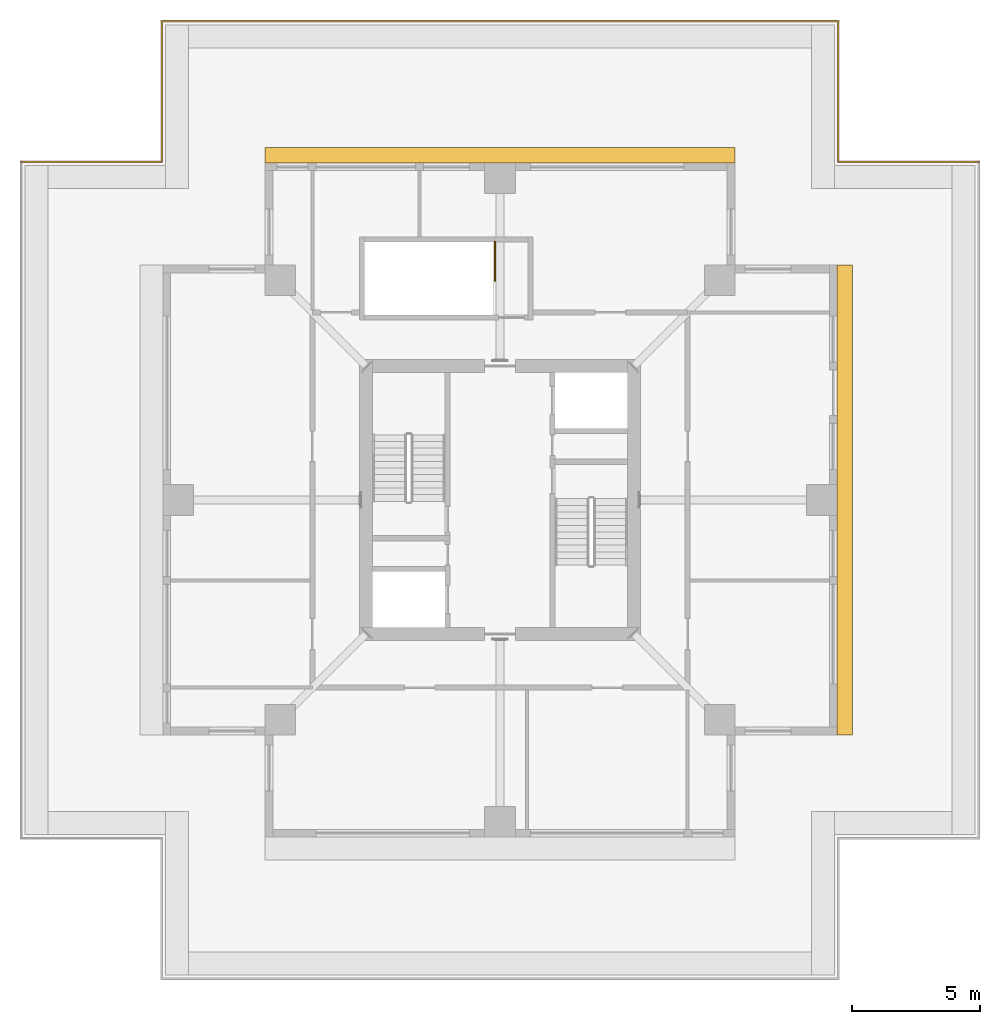
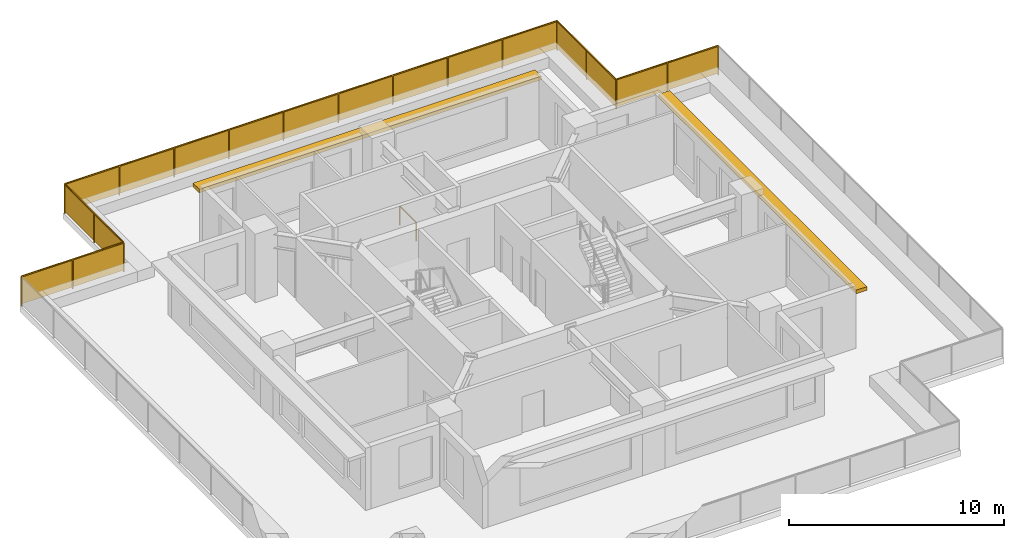
# One storey, part 8 of 8: 2 railings, 2 shading devices.
"""IFC4 building model written with IfcOpenShell, lengths in metres."""

from ifc_helpers import new_model, si_unit, direction, frame, origin, origin_2d, place, context, subcontext, project, spatial, polyline, rectangle, outline, extrude, material, layer, layer_set, type_object, element, save


model = new_model("IFC4")

# Units and contexts
model_context = context("Model", 3, precision=1e-05, world=origin(), true_north=direction((0.0, 1.0)))
body_context = subcontext(model_context, "Body", "Model", "MODEL_VIEW")
ifc_project = project(units=[si_unit("LENGTHUNIT", "METRE"), si_unit("AREAUNIT", "SQUARE_METRE"), si_unit("VOLUMEUNIT", "CUBIC_METRE"), si_unit("PLANEANGLEUNIT", "RADIAN"), si_unit("MASSUNIT", "GRAM", prefix="KILO")], contexts=[model_context])

# Site, building, storey
site_placement = place(None, origin())
site = spatial("IfcSite", under=ifc_project, at=site_placement, CompositionType="ELEMENT")
building_placement = place(site_placement, origin())
building = spatial("IfcBuilding", under=site, at=building_placement, Name="Khepri Terraces", CompositionType="ELEMENT")
storey_placement = place(building_placement, frame((0.0, 0.0, 312.300048828125)))
storey = spatial("IfcBuildingStorey", under=building, at=storey_placement, Name="L75", CompositionType="ELEMENT", Elevation=312.300048828125)

# Railings
ifc_material_1 = material(Name="Stainless steel grade 316", Category="steel")
railing_type_1 = type_object("IfcRailingType", Name="GRD-TERR-1700", PredefinedType="GUARDRAIL", material=ifc_material_1)
railing_1_placement = place(storey_placement, frame((-18.75, 13.25, 0.0)))
element("IfcRailing", 1, at=railing_1_placement, inside=storey, type_object=railing_type_1, Name="Terrace guard L75", PredefinedType="GUARDRAIL", context=body_context, shape_type="SweptSolid", body=[
    extrude(rectangle(XDim=0.050048828125, YDim=0.06005859375, at=origin_2d()), frame((0.0, 0.0, 1.669921875), z_axis=(1.0, 0.0, 0.0), x_axis=(0.0, 1.0, 0.0)), (0.0, 0.0, 1.0), 5.5),
    extrude(rectangle(XDim=2.699951171875, YDim=0.011962890625, at=origin_2d()), frame((1.375, 0.0, 0.10009765625), z_axis=(0.0, 0.0, 1.0), x_axis=(1.0, 0.0, 0.0)), (0.0, 0.0, 1.0), 1.539794921875),
    extrude(rectangle(XDim=2.699951171875, YDim=0.011962890625, at=origin_2d()), frame((4.125, 0.0, 0.10009765625), z_axis=(0.0, 0.0, 1.0), x_axis=(1.0, 0.0, 0.0)), (0.0, 0.0, 1.0), 1.539794921875),
    extrude(rectangle(XDim=0.050048828125, YDim=0.06005859375, at=origin_2d()), frame((5.5, 0.0, 1.669921875), z_axis=(0.0, 1.0, 0.0), x_axis=(-1.0, 0.0, 0.0)), (0.0, 0.0, 1.0), 5.5),
    extrude(rectangle(XDim=2.699951171875, YDim=0.011962890625, at=origin_2d()), frame((5.5, 1.375, 0.10009765625), z_axis=(0.0, 0.0, 1.0), x_axis=(0.0, 1.0, 0.0)), (0.0, 0.0, 1.0), 1.539794921875),
    extrude(rectangle(XDim=2.699951171875, YDim=0.011962890625, at=origin_2d()), frame((5.5, 4.125, 0.10009765625), z_axis=(0.0, 0.0, 1.0), x_axis=(0.0, 1.0, 0.0)), (0.0, 0.0, 1.0), 1.539794921875),
    extrude(rectangle(XDim=0.050048828125, YDim=0.06005859375, at=origin_2d()), frame((5.5, 5.5, 1.669921875), z_axis=(1.0, 0.0, 0.0), x_axis=(0.0, 1.0, 0.0)), (0.0, 0.0, 1.0), 26.5),
    extrude(rectangle(XDim=2.894287109375, YDim=0.011962890625, at=origin_2d()), frame((6.97216796875, 5.5, 0.10009765625), z_axis=(0.0, 0.0, 1.0), x_axis=(1.0, 0.0, 0.0)), (0.0, 0.0, 1.0), 1.539794921875),
    extrude(rectangle(XDim=2.894287109375, YDim=0.011962890625, at=origin_2d()), frame((9.916748046875, 5.5, 0.10009765625), z_axis=(0.0, 0.0, 1.0), x_axis=(1.0, 0.0, 0.0)), (0.0, 0.0, 1.0), 1.539794921875),
    extrude(rectangle(XDim=2.894287109375, YDim=0.011962890625, at=origin_2d()), frame((12.861083984375, 5.5, 0.10009765625), z_axis=(0.0, 0.0, 1.0), x_axis=(1.0, 0.0, 0.0)), (0.0, 0.0, 1.0), 1.539794921875),
    extrude(rectangle(XDim=2.894287109375, YDim=0.011962890625, at=origin_2d()), frame((15.8056640625, 5.5, 0.10009765625), z_axis=(0.0, 0.0, 1.0), x_axis=(1.0, 0.0, 0.0)), (0.0, 0.0, 1.0), 1.539794921875),
    extrude(rectangle(XDim=2.894287109375, YDim=0.011962890625, at=origin_2d()), frame((18.75, 5.5, 0.10009765625), z_axis=(0.0, 0.0, 1.0), x_axis=(1.0, 0.0, 0.0)), (0.0, 0.0, 1.0), 1.539794921875),
    extrude(rectangle(XDim=2.894287109375, YDim=0.011962890625, at=origin_2d()), frame((21.6943359375, 5.5, 0.10009765625), z_axis=(0.0, 0.0, 1.0), x_axis=(1.0, 0.0, 0.0)), (0.0, 0.0, 1.0), 1.539794921875),
    extrude(rectangle(XDim=2.894287109375, YDim=0.011962890625, at=origin_2d()), frame((24.638916015625, 5.5, 0.10009765625), z_axis=(0.0, 0.0, 1.0), x_axis=(1.0, 0.0, 0.0)), (0.0, 0.0, 1.0), 1.539794921875),
    extrude(rectangle(XDim=2.894287109375, YDim=0.011962890625, at=origin_2d()), frame((27.583251953125, 5.5, 0.10009765625), z_axis=(0.0, 0.0, 1.0), x_axis=(1.0, 0.0, 0.0)), (0.0, 0.0, 1.0), 1.539794921875),
    extrude(rectangle(XDim=2.894287109375, YDim=0.011962890625, at=origin_2d()), frame((30.52783203125, 5.5, 0.10009765625), z_axis=(0.0, 0.0, 1.0), x_axis=(1.0, 0.0, 0.0)), (0.0, 0.0, 1.0), 1.539794921875),
    extrude(rectangle(XDim=0.050048828125, YDim=0.06005859375, at=origin_2d()), frame((32.0, 5.5, 1.669921875), z_axis=(0.0, -1.0, 0.0), x_axis=(1.0, 0.0, 0.0)), (0.0, 0.0, 1.0), 5.5),
    extrude(rectangle(XDim=2.699951171875, YDim=0.011962890625, at=origin_2d()), frame((32.0, 4.125, 0.10009765625), z_axis=(0.0, 0.0, 1.0), x_axis=(0.0, -1.0, 0.0)), (0.0, 0.0, 1.0), 1.539794921875),
    extrude(rectangle(XDim=2.699951171875, YDim=0.011962890625, at=origin_2d()), frame((32.0, 1.375, 0.10009765625), z_axis=(0.0, 0.0, 1.0), x_axis=(0.0, -1.0, 0.0)), (0.0, 0.0, 1.0), 1.539794921875),
    extrude(rectangle(XDim=0.050048828125, YDim=0.06005859375, at=origin_2d()), frame((32.0, 0.0, 1.669921875), z_axis=(1.0, 0.0, 0.0), x_axis=(0.0, 1.0, 0.0)), (0.0, 0.0, 1.0), 5.5),
    extrude(rectangle(XDim=2.699951171875, YDim=0.011962890625, at=origin_2d()), frame((33.375, 0.0, 0.10009765625), z_axis=(0.0, 0.0, 1.0), x_axis=(1.0, 0.0, 0.0)), (0.0, 0.0, 1.0), 1.539794921875),
    extrude(rectangle(XDim=2.699951171875, YDim=0.011962890625, at=origin_2d()), frame((36.125, 0.0, 0.10009765625), z_axis=(0.0, 0.0, 1.0), x_axis=(1.0, 0.0, 0.0)), (0.0, 0.0, 1.0), 1.539794921875),
    extrude(rectangle(XDim=0.050048828125, YDim=0.050048828125, at=origin_2d()), origin(), (0.0, 0.0, 1.0), 1.639892578125),
    extrude(rectangle(XDim=0.050048828125, YDim=0.050048828125, at=origin_2d()), frame((2.75, 0.0, 0.0)), (0.0, 0.0, 1.0), 1.639892578125),
    extrude(rectangle(XDim=0.050048828125, YDim=0.050048828125, at=origin_2d()), frame((5.5, 0.0, 0.0)), (0.0, 0.0, 1.0), 1.639892578125),
    extrude(rectangle(XDim=0.050048828125, YDim=0.050048828125, at=origin_2d()), frame((5.5, 2.75, 0.0)), (0.0, 0.0, 1.0), 1.639892578125),
    extrude(rectangle(XDim=0.050048828125, YDim=0.050048828125, at=origin_2d()), frame((5.5, 5.5, 0.0)), (0.0, 0.0, 1.0), 1.639892578125),
    extrude(rectangle(XDim=0.050048828125, YDim=0.050048828125, at=origin_2d()), frame((8.4443359375, 5.5, 0.0)), (0.0, 0.0, 1.0), 1.639892578125),
    extrude(rectangle(XDim=0.050048828125, YDim=0.050048828125, at=origin_2d()), frame((11.388916015625, 5.5, 0.0)), (0.0, 0.0, 1.0), 1.639892578125),
    extrude(rectangle(XDim=0.050048828125, YDim=0.050048828125, at=origin_2d()), frame((14.333251953125, 5.5, 0.0)), (0.0, 0.0, 1.0), 1.639892578125),
    extrude(rectangle(XDim=0.050048828125, YDim=0.050048828125, at=origin_2d()), frame((17.27783203125, 5.5, 0.0)), (0.0, 0.0, 1.0), 1.639892578125),
    extrude(rectangle(XDim=0.050048828125, YDim=0.050048828125, at=origin_2d()), frame((20.22216796875, 5.5, 0.0)), (0.0, 0.0, 1.0), 1.639892578125),
    extrude(rectangle(XDim=0.050048828125, YDim=0.050048828125, at=origin_2d()), frame((23.166748046875, 5.5, 0.0)), (0.0, 0.0, 1.0), 1.639892578125),
    extrude(rectangle(XDim=0.050048828125, YDim=0.050048828125, at=origin_2d()), frame((26.111083984375, 5.5, 0.0)), (0.0, 0.0, 1.0), 1.639892578125),
    extrude(rectangle(XDim=0.050048828125, YDim=0.050048828125, at=origin_2d()), frame((29.0556640625, 5.5, 0.0)), (0.0, 0.0, 1.0), 1.639892578125),
    extrude(rectangle(XDim=0.050048828125, YDim=0.050048828125, at=origin_2d()), frame((32.0, 5.5, 0.0)), (0.0, 0.0, 1.0), 1.639892578125),
    extrude(rectangle(XDim=0.050048828125, YDim=0.050048828125, at=origin_2d()), frame((32.0, 2.75, 0.0)), (0.0, 0.0, 1.0), 1.639892578125),
    extrude(rectangle(XDim=0.050048828125, YDim=0.050048828125, at=origin_2d()), frame((32.0, 0.0, 0.0)), (0.0, 0.0, 1.0), 1.639892578125),
    extrude(rectangle(XDim=0.050048828125, YDim=0.050048828125, at=origin_2d()), frame((34.75, 0.0, 0.0)), (0.0, 0.0, 1.0), 1.639892578125),
    extrude(rectangle(XDim=0.050048828125, YDim=0.050048828125, at=origin_2d()), frame((37.5, 0.0, 0.0)), (0.0, 0.0, 1.0), 1.639892578125),
])
ifc_material_2 = material(Name="Stainless steel 316", Category="steel")
railing_type_2 = type_object("IfcRailingType", Name="RL-CORE-GUARD", PredefinedType="GUARDRAIL", material=ifc_material_2)
railing_2_placement = place(storey_placement, frame((-0.199951171875, 10.10009765625, 0.0)))
element("IfcRailing", 2, at=railing_2_placement, inside=storey, type_object=railing_type_2, Name="L75 ST-3 top well guard 1", PredefinedType="GUARDRAIL", context=body_context, shape_type="SweptSolid", body=[
    extrude(rectangle(XDim=0.050048828125, YDim=0.06005859375, at=origin_2d()), frame((0.0, 0.0, 1.070068359375), z_axis=(0.0, -1.0, 0.0), x_axis=(1.0, 0.0, 0.0)), (0.0, 0.0, 1.0), 1.5),
    extrude(rectangle(XDim=0.050048828125, YDim=0.050048828125, at=origin_2d()), origin(), (0.0, 0.0, 1.0), 1.0400390625),
    extrude(rectangle(XDim=0.050048828125, YDim=0.050048828125, at=origin_2d()), frame((0.0, -1.5, 0.0)), (0.0, 0.0, 1.0), 1.0400390625),
])

# Shading devices
ifc_material_3 = material(Name="Precast concrete C50/60 warm stone", Category="masonry")
ifc_layer = layer(ifc_material_3, 0.199951171875, Name="Precast concrete C50/60 warm stone", Category="masonry")
ifc_layer_set = layer_set([ifc_layer], Name="Precast concrete C50/60 warm stone")
shading_device_type = type_object("IfcShadingDeviceType", Name="SSH-BAND-STONE-200-N", PredefinedType="USERDEFINED", material=ifc_layer_set)
shading_device_1_placement = place(storey_placement, frame((0.0, 0.0, 3.099853515625)))
element("IfcShadingDevice", 3, at=shading_device_1_placement, inside=storey, type_object=shading_device_type, Name="Sunshade band L75 E", ObjectType="SUNSHADE", PredefinedType="USERDEFINED", context=body_context, shape_type="SweptSolid", body=[
    extrude(outline(polyline([(13.199951171875, -9.199951171875), (13.800048828125, -9.199951171875), (13.800048828125, 9.199951171875), (13.199951171875, 9.199951171875), (13.199951171875, -9.199951171875)])), origin(), (0.0, 0.0, 1.0), 0.2001953125),
])
shading_device_2_placement = place(storey_placement, frame((0.0, 0.0, 3.099853515625)))
element("IfcShadingDevice", 4, at=shading_device_2_placement, inside=storey, type_object=shading_device_type, Name="Sunshade band L75 N", ObjectType="SUNSHADE", PredefinedType="USERDEFINED", context=body_context, shape_type="SweptSolid", body=[
    extrude(outline(polyline([(9.199951171875, 13.199951171875), (9.199951171875, 13.800048828125), (-9.199951171875, 13.800048828125), (-9.199951171875, 13.199951171875), (9.199951171875, 13.199951171875)])), origin(), (0.0, 0.0, 1.0), 0.2001953125),
])

save(model, "model.ifc")
